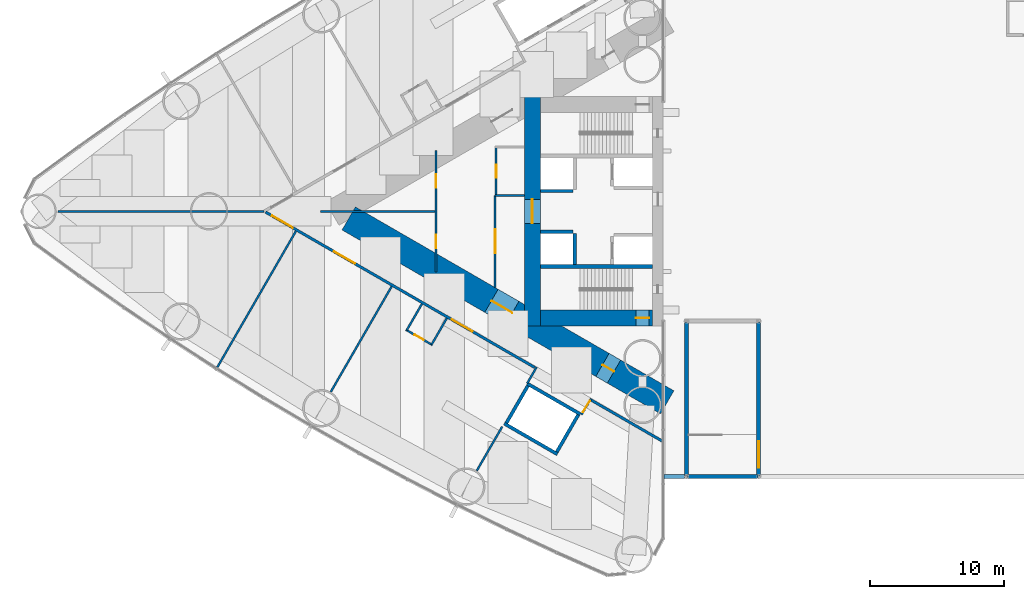
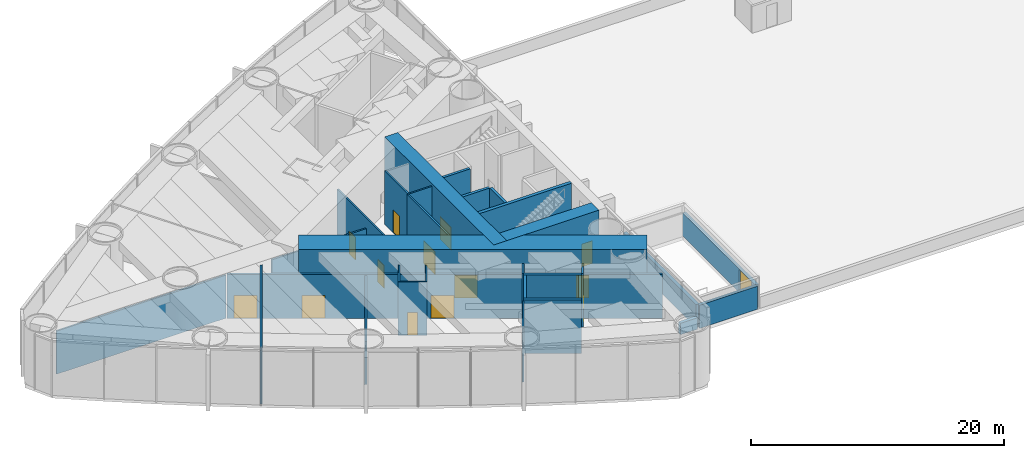
# One storey, part 16 of 23: 31 walls, 14 doors, 14 openings.
"""IFC4 building model written with IfcOpenShell, lengths in metres."""

from ifc_helpers import new_model, si_unit, direction, frame, frame_2d, origin, place, context, subcontext, project, spatial, rectangle, extrude, material, layer, layer_set, type_object, element, fill, save


model = new_model("IFC4")

# Units and contexts
model_context = context("Model", 3, precision=1e-05, world=origin(), true_north=direction((0.0, 1.0)))
body_context = subcontext(model_context, "Body", "Model", "MODEL_VIEW")
ifc_project = project(units=[si_unit("LENGTHUNIT", "METRE"), si_unit("AREAUNIT", "SQUARE_METRE"), si_unit("VOLUMEUNIT", "CUBIC_METRE"), si_unit("PLANEANGLEUNIT", "RADIAN"), si_unit("MASSUNIT", "GRAM", prefix="KILO")], contexts=[model_context])

# Site, building, storey
site_placement = place(None, origin())
site = spatial("IfcSite", under=ifc_project, at=site_placement, CompositionType="ELEMENT")
building_placement = place(site_placement, origin())
building = spatial("IfcBuilding", under=site, at=building_placement, Name="Lancet Gate Hotel", CompositionType="ELEMENT")
storey_placement = place(building_placement, frame((0.0, 0.0, 12.60009765625)))
storey = spatial("IfcBuildingStorey", under=building, at=storey_placement, Name="L02", CompositionType="ELEMENT", Elevation=12.60009765625)

# Walls
ifc_material_1 = material(Name="Moisture resistant board partition")
ifc_layer_1 = layer(ifc_material_1, 0.14990234375)
ifc_layer_set_1 = layer_set([ifc_layer_1], Name="Bathroom wall 150")
wall_type_1 = type_object("IfcWallType", Name="Bathroom wall 150", PredefinedType="PARTITIONING", material=ifc_layer_set_1)
for number, where, z_axis, x_axis, name in (
    (1, (-43.7001953125, -8.0068359375, 0.0), (0.0, 0.0, 1.0), (-0.499982560684, -0.866035472144, 0.0), "T1 bathroom wall 150 L02"),
    (2, (-45.56201171875, -6.931884765625, 0.0), (0.0, 0.0, 1.0), (-0.499982560684, -0.866035472144, 0.0), "T1 bathroom wall 150 L02"),
):
    element("IfcWall", number, at=place(storey_placement, frame(where, z_axis=z_axis, x_axis=x_axis)), inside=storey, type_object=wall_type_1, Name=name, PredefinedType="PARTITIONING", context=body_context, shape_type="SweptSolid", body=[
        extrude(rectangle(XDim=2.27490234375, YDim=0.14990234375, at=frame_2d((1.137451171875, 0.0))), origin(), (0.0, 0.0, 1.0), 5.14990234375),
    ])

# Wall, opening, door
wall_1_placement = place(storey_placement, frame((-44.772705078125, -10.014404296875, 0.0), z_axis=(0.0, 0.0, 1.0), x_axis=(-0.86602648383, 0.499998129301, 0.0)))
wall_1 = element("IfcWall", 3, at=wall_1_placement, inside=storey, type_object=wall_type_1, Name="T1 bathroom wall 150 L02", PredefinedType="PARTITIONING", context=body_context, shape_type="SweptSolid", body=[
    extrude(rectangle(XDim=2.2998046875, YDim=0.14990234375, at=frame_2d((1.14990234375, 0.0))), origin(), (0.0, 0.0, 1.0), 5.14990234375),
])
opening_1_placement = place(wall_1_placement, frame((0.75, 0.0, 0.0)))
opening_1 = element("IfcOpeningElement", 4, at=opening_1_placement, cuts=wall_1, Name="Opening T1-L02-P207W", PredefinedType="OPENING", context=body_context, shape_type="SweptSolid", body=[
    extrude(rectangle(XDim=0.800048828125, YDim=2.199951171875, at=frame_2d((0.39990234375, 1.10009765625))), frame((0.0, 0.0849609375, 0.0), z_axis=(0.0, -1.0, 0.0), x_axis=(1.0, 0.0, 0.0)), (0.0, 0.0, 1.0), 0.169921875),
])
ifc_material_2 = material(Name="Timber door set", Category="wood")
door_type_1 = type_object("IfcDoorType", Name="Bathroom door 800", OperationType="SINGLE_SWING_RIGHT", PredefinedType="DOOR", material=ifc_material_2)
door_1_placement = place(opening_1_placement, origin())
door_1 = element("IfcDoor", 5, at=door_1_placement, inside=storey, type_object=door_type_1, Name="T1-L02-P207W", OperationType="SINGLE_SWING_RIGHT", OverallHeight=2.199951171875, OverallWidth=0.800048828125, PredefinedType="DOOR", context=body_context, shape_type="SweptSolid", body=[
    extrude(rectangle(XDim=0.800048828125, YDim=2.199951171875, at=frame_2d((0.39990234375, 1.10009765625))), frame((0.0, 0.02490234375, 0.0), z_axis=(0.0, -1.0, 0.0), x_axis=(1.0, 0.0, 0.0)), (0.0, 0.0, 1.0), 0.050048828125),
])
fill(opening_1, door_1)

# Wall, openings, doors
ifc_material_3 = material(Name="Concrete C70/85", Category="concrete")
ifc_layer_2 = layer(ifc_material_3, 2.0)
ifc_layer_set_2 = layer_set([ifc_layer_2], Name="Buttress wall 2000")
wall_type_2 = type_object("IfcWallType", Name="Buttress wall 2000", PredefinedType="SHEAR", material=ifc_layer_set_2)
wall_2_placement = place(storey_placement, frame((-27.199951171875, -14.300048828125, 0.0), z_axis=(0.0, 0.0, 1.0), x_axis=(-0.866024044937, 0.500002353585, 0.0)))
wall_2 = element("IfcWall", 6, at=wall_2_placement, inside=storey, type_object=wall_type_2, Name="T1 buttress wall N L02", PredefinedType="SHEAR", context=body_context, shape_type="SweptSolid", body=[
    extrude(rectangle(XDim=27.533447265625, YDim=2.0, at=frame_2d((13.7666015625, 0.0))), origin(), (0.0, 0.0, 1.0), 5.39990234375),
])
opening_2_placement = place(wall_2_placement, frame((4.60009765625, 0.0, 0.0)))
opening_2 = element("IfcOpeningElement", 7, at=opening_2_placement, cuts=wall_2, Name="Opening T1-L02-LN", PredefinedType="OPENING", context=body_context, shape_type="SweptSolid", body=[
    extrude(rectangle(XDim=1.0, YDim=2.199951171875, at=frame_2d((0.5, 1.10009765625))), frame((0.0, 1.010009765625, 0.0), z_axis=(0.0, -1.0, 0.0), x_axis=(1.0, 0.0, 0.0)), (0.0, 0.0, 1.0), 2.02001953125),
])
opening_3_placement = place(wall_2_placement, frame((13.39453125, 0.0, 0.0)))
opening_3 = element("IfcOpeningElement", 8, at=opening_3_placement, cuts=wall_2, Name="Opening T1-L02-LHN", PredefinedType="OPENING", context=body_context, shape_type="SweptSolid", body=[
    extrude(rectangle(XDim=1.800048828125, YDim=2.199951171875, at=frame_2d((0.89990234375, 1.10009765625))), frame((0.0, 1.010009765625, 0.0), z_axis=(0.0, -1.0, 0.0), x_axis=(1.0, 0.0, 0.0)), (0.0, 0.0, 1.0), 2.02001953125),
])
ifc_material_4 = material(Name="Timber door set", Category="wood")
door_type_2 = type_object("IfcDoorType", Name="Lobby double door 1800", OperationType="DOUBLE_DOOR_SINGLE_SWING", PredefinedType="DOOR", material=ifc_material_4)
door_2_placement = place(opening_3_placement, origin())
door_2 = element("IfcDoor", 9, at=door_2_placement, inside=storey, type_object=door_type_2, Name="T1-L02-LHN", OperationType="DOUBLE_DOOR_SINGLE_SWING", OverallHeight=2.199951171875, OverallWidth=1.800048828125, PredefinedType="DOOR", context=body_context, shape_type="SweptSolid", body=[
    extrude(rectangle(XDim=1.800048828125, YDim=2.199951171875, at=frame_2d((0.89990234375, 1.10009765625))), frame((0.0, 0.02490234375, 0.0), z_axis=(0.0, -1.0, 0.0), x_axis=(1.0, 0.0, 0.0)), (0.0, 0.0, 1.0), 0.050048828125),
])
fill(opening_3, door_2)
ifc_material_5 = material(Name="Timber door set", Category="wood")
door_type_3 = type_object("IfcDoorType", Name="Stair lobby door 1000", OperationType="SINGLE_SWING_LEFT", PredefinedType="DOOR", material=ifc_material_5)
door_3_placement = place(opening_2_placement, origin())
door_3 = element("IfcDoor", 10, at=door_3_placement, inside=storey, type_object=door_type_3, Name="T1-L02-LN", OperationType="SINGLE_SWING_LEFT", OverallHeight=2.199951171875, OverallWidth=1.0, PredefinedType="DOOR", context=body_context, shape_type="SweptSolid", body=[
    extrude(rectangle(XDim=1.0, YDim=2.199951171875, at=frame_2d((0.5, 1.10009765625))), frame((0.0, 0.02490234375, 0.0), z_axis=(0.0, -1.0, 0.0), x_axis=(1.0, 0.0, 0.0)), (0.0, 0.0, 1.0), 0.050048828125),
])
fill(opening_2, door_3)

# Wall, opening, door
ifc_material_6 = material(Name="Concrete C70/85", Category="concrete")
ifc_layer_3 = layer(ifc_material_6, 1.199951171875)
ifc_layer_set_3 = layer_set([ifc_layer_3], Name="Core wall 1200")
wall_type_3 = type_object("IfcWallType", Name="Core wall 1200", PredefinedType="SHEAR", material=ifc_layer_set_3)
wall_3_placement = place(storey_placement, frame((-37.300048828125, 8.60009765625, 0.0), z_axis=(0.0, 0.0, 1.0), x_axis=(0.0, -1.0, 0.0)))
wall_3 = element("IfcWall", 11, at=wall_3_placement, inside=storey, type_object=wall_type_3, Name="T1 core wall back L02", PredefinedType="SHEAR", context=body_context, shape_type="SweptSolid", body=[
    extrude(rectangle(XDim=17.2001953125, YDim=1.199951171875, at=frame_2d((8.60009765625, 0.0))), origin(), (0.0, 0.0, 1.0), 5.39990234375),
])
opening_4_placement = place(wall_3_placement, frame((7.699951171875, 0.0, 0.0)))
opening_4 = element("IfcOpeningElement", 12, at=opening_4_placement, cuts=wall_3, Name="Opening T1-L02-LL", PredefinedType="OPENING", context=body_context, shape_type="SweptSolid", body=[
    extrude(rectangle(XDim=1.800048828125, YDim=2.199951171875, at=frame_2d((0.89990234375, 1.10009765625))), frame((0.0, 0.60986328125, 0.0), z_axis=(0.0, -1.0, 0.0), x_axis=(1.0, 0.0, 0.0)), (0.0, 0.0, 1.0), 1.219970703125),
])
door_4_placement = place(opening_4_placement, origin())
door_4 = element("IfcDoor", 13, at=door_4_placement, inside=storey, type_object=door_type_2, Name="T1-L02-LL", OperationType="DOUBLE_DOOR_SINGLE_SWING", OverallHeight=2.199951171875, OverallWidth=1.800048828125, PredefinedType="DOOR", context=body_context, shape_type="SweptSolid", body=[
    extrude(rectangle(XDim=1.800048828125, YDim=2.199951171875, at=frame_2d((0.89990234375, 1.10009765625))), frame((0.0, 0.02490234375, 0.0), z_axis=(0.0, -1.0, 0.0), x_axis=(1.0, 0.0, 0.0)), (0.0, 0.0, 1.0), 0.050048828125),
])
fill(opening_4, door_4)

wall_4_placement = place(storey_placement, frame((-28.300048828125, -8.0, 0.0), z_axis=(0.0, 0.0, 1.0), x_axis=(-1.0, 0.0, 0.0)))
wall_4 = element("IfcWall", 14, at=wall_4_placement, inside=storey, type_object=wall_type_3, Name="T1 core wall side-N L02", PredefinedType="SHEAR", context=body_context, shape_type="SweptSolid", body=[
    extrude(rectangle(XDim=8.39990234375, YDim=1.199951171875, at=frame_2d((4.199951171875, 0.0))), origin(), (0.0, 0.0, 1.0), 5.39990234375),
])
opening_5_placement = place(wall_4_placement, frame((0.25, 0.0, 0.0)))
opening_5 = element("IfcOpeningElement", 15, at=opening_5_placement, cuts=wall_4, Name="Opening T1-L02-ST2", PredefinedType="OPENING", context=body_context, shape_type="SweptSolid", body=[
    extrude(rectangle(XDim=1.0, YDim=2.199951171875, at=frame_2d((0.5, 1.10009765625))), frame((0.0, 0.60986328125, 0.0), z_axis=(0.0, -1.0, 0.0), x_axis=(1.0, 0.0, 0.0)), (0.0, 0.0, 1.0), 1.219970703125),
])
ifc_material_7 = material(Name="Timber door set", Category="wood")
door_type_4 = type_object("IfcDoorType", Name="Stair door 1000", OperationType="SINGLE_SWING_RIGHT", PredefinedType="DOOR", material=ifc_material_7)
door_5_placement = place(opening_5_placement, origin())
door_5 = element("IfcDoor", 16, at=door_5_placement, inside=storey, type_object=door_type_4, Name="T1-L02-ST2", OperationType="SINGLE_SWING_RIGHT", OverallHeight=2.199951171875, OverallWidth=1.0, PredefinedType="DOOR", context=body_context, shape_type="SweptSolid", body=[
    extrude(rectangle(XDim=1.0, YDim=2.199951171875, at=frame_2d((0.5, 1.10009765625))), frame((0.0, 0.02490234375, 0.0), z_axis=(0.0, -1.0, 0.0), x_axis=(1.0, 0.0, 0.0)), (0.0, 0.0, 1.0), 0.050048828125),
])
fill(opening_5, door_5)

# Wall
ifc_material_8 = material(Name="Gypsum board partition")
ifc_layer_4 = layer(ifc_material_8, 0.199951171875)
ifc_layer_set_4 = layer_set([ifc_layer_4], Name="Corridor wall 200")
wall_type_4 = type_object("IfcWallType", Name="Corridor wall 200", PredefinedType="PARTITIONING", material=ifc_layer_set_4)
wall_5_placement = place(storey_placement, frame((-27.5, -17.244384765625, 0.0), z_axis=(0.0, 0.0, 1.0), x_axis=(-0.866027347857, 0.499996632752, 0.0)))
element("IfcWall", 17, at=wall_5_placement, inside=storey, type_object=wall_type_4, Name="T1 corridor wall 200 L02", PredefinedType="PARTITIONING", context=body_context, shape_type="SweptSolid", body=[
    extrude(rectangle(XDim=6.26904296875, YDim=0.199951171875, at=frame_2d((3.134521484375, 0.0))), origin(), (0.0, 0.0, 1.0), 4.25),
])

# Wall, openings, doors
wall_6_placement = place(storey_placement, frame((-37.1201171875, -11.690185546875, 0.0), z_axis=(0.0, 0.0, 1.0), x_axis=(-0.866028803602, 0.499994111297, 0.0)))
wall_6 = element("IfcWall", 18, at=wall_6_placement, inside=storey, type_object=wall_type_4, Name="T1 corridor wall 200 L02", PredefinedType="PARTITIONING", context=body_context, shape_type="SweptSolid", body=[
    extrude(rectangle(XDim=23.260498046875, YDim=0.199951171875, at=frame_2d((11.63037109375, 0.0))), origin(), (0.0, 0.0, 1.0), 4.25),
])
opening_6_placement = place(wall_6_placement, frame((20.909423828125, 0.0, 0.0)))
opening_6 = element("IfcOpeningElement", 19, at=opening_6_placement, cuts=wall_6, Name="Opening T1-L02-P205", PredefinedType="OPENING", context=body_context, shape_type="SweptSolid", body=[
    extrude(rectangle(XDim=1.800048828125, YDim=2.199951171875, at=frame_2d((0.89990234375, 1.10009765625))), frame((0.0, 0.10986328125, 0.0), z_axis=(0.0, -1.0, 0.0), x_axis=(1.0, 0.0, 0.0)), (0.0, 0.0, 1.0), 0.219970703125),
])
opening_7_placement = place(wall_6_placement, frame((15.54443359375, 0.0, 0.0)))
opening_7 = element("IfcOpeningElement", 20, at=opening_7_placement, cuts=wall_6, Name="Opening T1-L02-P206", PredefinedType="OPENING", context=body_context, shape_type="SweptSolid", body=[
    extrude(rectangle(XDim=1.800048828125, YDim=2.199951171875, at=frame_2d((0.89990234375, 1.10009765625))), frame((0.0, 0.10986328125, 0.0), z_axis=(0.0, -1.0, 0.0), x_axis=(1.0, 0.0, 0.0)), (0.0, 0.0, 1.0), 0.219970703125),
])
opening_8_placement = place(wall_6_placement, frame((5.364990234375, 0.0, 0.0)))
opening_8 = element("IfcOpeningElement", 21, at=opening_8_placement, cuts=wall_6, Name="Opening T1-L02-P207", PredefinedType="OPENING", context=body_context, shape_type="SweptSolid", body=[
    extrude(rectangle(XDim=1.800048828125, YDim=2.199951171875, at=frame_2d((0.89990234375, 1.10009765625))), frame((0.0, 0.10986328125, 0.0), z_axis=(0.0, -1.0, 0.0), x_axis=(1.0, 0.0, 0.0)), (0.0, 0.0, 1.0), 0.219970703125),
])
ifc_material_9 = material(Name="Timber door set", Category="wood")
door_type_5 = type_object("IfcDoorType", Name="Double door 1800", OperationType="DOUBLE_DOOR_SINGLE_SWING", PredefinedType="DOOR", material=ifc_material_9)
door_6_placement = place(opening_6_placement, origin())
door_6 = element("IfcDoor", 22, at=door_6_placement, inside=storey, type_object=door_type_5, Name="T1-L02-P205", OperationType="DOUBLE_DOOR_SINGLE_SWING", OverallHeight=2.199951171875, OverallWidth=1.800048828125, PredefinedType="DOOR", context=body_context, shape_type="SweptSolid", body=[
    extrude(rectangle(XDim=1.800048828125, YDim=2.199951171875, at=frame_2d((0.89990234375, 1.10009765625))), frame((0.0, 0.02490234375, 0.0), z_axis=(0.0, -1.0, 0.0), x_axis=(1.0, 0.0, 0.0)), (0.0, 0.0, 1.0), 0.050048828125),
])
fill(opening_6, door_6)
door_7_placement = place(opening_7_placement, origin())
door_7 = element("IfcDoor", 23, at=door_7_placement, inside=storey, type_object=door_type_5, Name="T1-L02-P206", OperationType="DOUBLE_DOOR_SINGLE_SWING", OverallHeight=2.199951171875, OverallWidth=1.800048828125, PredefinedType="DOOR", context=body_context, shape_type="SweptSolid", body=[
    extrude(rectangle(XDim=1.800048828125, YDim=2.199951171875, at=frame_2d((0.89990234375, 1.10009765625))), frame((0.0, 0.02490234375, 0.0), z_axis=(0.0, -1.0, 0.0), x_axis=(1.0, 0.0, 0.0)), (0.0, 0.0, 1.0), 0.050048828125),
])
fill(opening_7, door_7)
door_8_placement = place(opening_8_placement, origin())
door_8 = element("IfcDoor", 24, at=door_8_placement, inside=storey, type_object=door_type_5, Name="T1-L02-P207", OperationType="DOUBLE_DOOR_SINGLE_SWING", OverallHeight=2.199951171875, OverallWidth=1.800048828125, PredefinedType="DOOR", context=body_context, shape_type="SweptSolid", body=[
    extrude(rectangle(XDim=1.800048828125, YDim=2.199951171875, at=frame_2d((0.89990234375, 1.10009765625))), frame((0.0, 0.02490234375, 0.0), z_axis=(0.0, -1.0, 0.0), x_axis=(1.0, 0.0, 0.0)), (0.0, 0.0, 1.0), 0.050048828125),
])
fill(opening_8, door_8)

# Walls
ifc_material_10 = material(Name="Gypsum board partition")
ifc_layer_5 = layer(ifc_material_10, 0.25)
ifc_layer_set_5 = layer_set([ifc_layer_5], Name="Lift shaft partition 250")
wall_type_5 = type_object("IfcWallType", Name="Lift shaft partition 250", PredefinedType="PARTITIONING", material=ifc_layer_set_5)
wall_7_placement = place(storey_placement, frame((-33.695556640625, -15.197265625, 0.0), z_axis=(0.0, 0.0, 1.0), x_axis=(-0.865976953817, 0.500083908417, 0.0)))
element("IfcWall", 25, at=wall_7_placement, inside=storey, type_object=wall_type_5, Name="T1 lift shaft wall EX L02", PredefinedType="PARTITIONING", context=body_context, shape_type="SweptSolid", body=[
    extrude(rectangle(XDim=4.599365234375, YDim=0.25, at=frame_2d((2.2998046875, 0.0))), origin(), (0.0, 0.0, 1.0), 5.14990234375),
])
wall_8_placement = place(storey_placement, frame((-35.42041015625, -18.185791015625, 0.0), z_axis=(0.0, 0.0, 1.0), x_axis=(-0.865990227814, 0.50006092162, 0.0)))
element("IfcWall", 26, at=wall_8_placement, inside=storey, type_object=wall_type_5, Name="T1 lift shaft wall EX L02", PredefinedType="PARTITIONING", context=body_context, shape_type="SweptSolid", body=[
    extrude(rectangle(XDim=4.599609375, YDim=0.25, at=frame_2d((2.2998046875, 0.0))), origin(), (0.0, 0.0, 1.0), 5.14990234375),
])
wall_9_placement = place(storey_placement, frame((-33.8662109375, -15.242919921875, 0.0), z_axis=(0.0, 0.0, 1.0), x_axis=(-0.499929347863, -0.866066190972, 0.0)))
element("IfcWall", 27, at=wall_9_placement, inside=storey, type_object=wall_type_5, Name="T1 lift shaft wall EX L02", PredefinedType="PARTITIONING", context=body_context, shape_type="SweptSolid", body=[
    extrude(rectangle(XDim=3.20068359375, YDim=0.25, at=frame_2d((1.600341796875, 0.0))), origin(), (0.0, 0.0, 1.0), 5.14990234375),
])
wall_10_placement = place(storey_placement, frame((-37.6328125, -13.068115234375, 0.0), z_axis=(0.0, 0.0, 1.0), x_axis=(-0.499872130319, -0.866099216793, 0.0)))
element("IfcWall", 28, at=wall_10_placement, inside=storey, type_object=wall_type_5, Name="T1 lift shaft wall EX L02", PredefinedType="PARTITIONING", context=body_context, shape_type="SweptSolid", body=[
    extrude(rectangle(XDim=3.200439453125, YDim=0.25, at=frame_2d((1.60009765625, 0.0))), origin(), (0.0, 0.0, 1.0), 5.14990234375),
])
ifc_material_11 = material(Name="Concrete C50/60", Category="concrete")
ifc_layer_6 = layer(ifc_material_11, 0.25)
ifc_layer_set_6 = layer_set([ifc_layer_6], Name="Lift shaft wall 250")
wall_type_6 = type_object("IfcWallType", Name="Lift shaft wall 250", PredefinedType="SHEAR", material=ifc_layer_set_6)
wall_11_placement = place(storey_placement, frame((-34.25, 1.52490234375, 0.0), z_axis=(0.0, 0.0, 1.0), x_axis=(-1.0, 0.0, 0.0)))
element("IfcWall", 29, at=wall_11_placement, inside=storey, type_object=wall_type_6, Name="T1 core wall pass2-S L02", PredefinedType="SHEAR", context=body_context, shape_type="SweptSolid", body=[
    extrude(rectangle(XDim=2.449951171875, YDim=0.25, at=frame_2d((1.22509765625, 0.0))), origin(), (0.0, 0.0, 1.0), 5.39990234375),
])
wall_12_placement = place(storey_placement, frame((-34.125, -1.64990234375, 0.0), z_axis=(0.0, 0.0, 1.0), x_axis=(0.0, -1.0, 0.0)))
element("IfcWall", 30, at=wall_12_placement, inside=storey, type_object=wall_type_6, Name="T1 core wall row2-N L02", PredefinedType="SHEAR", context=body_context, shape_type="SweptSolid", body=[
    extrude(rectangle(XDim=2.35009765625, YDim=0.25, at=frame_2d((1.175048828125, 0.0))), origin(), (0.0, 0.0, 1.0), 5.39990234375),
])
wall_13_placement = place(storey_placement, frame((-34.25, -1.52490234375, 0.0), z_axis=(0.0, 0.0, 1.0), x_axis=(-1.0, 0.0, 0.0)))
element("IfcWall", 31, at=wall_13_placement, inside=storey, type_object=wall_type_6, Name="T1 core wall pass2-N L02", PredefinedType="SHEAR", context=body_context, shape_type="SweptSolid", body=[
    extrude(rectangle(XDim=2.449951171875, YDim=0.25, at=frame_2d((1.22509765625, 0.0))), origin(), (0.0, 0.0, 1.0), 5.39990234375),
])
ifc_material_12 = material(Name="Concrete C40/50", Category="concrete")
ifc_layer_7 = layer(ifc_material_12, 0.300048828125)
ifc_layer_set_7 = layer_set([ifc_layer_7], Name="Parapet wall 300")
wall_type_7 = type_object("IfcWallType", Name="Parapet wall 300", PredefinedType="PARAPET", material=ifc_layer_set_7)
wall_14_placement = place(storey_placement, frame((-27.449951171875, -19.85009765625, 0.0), z_axis=(0.0, 0.0, 1.0), x_axis=(1.0, 0.0, 0.0)))
element("IfcWall", 32, at=wall_14_placement, inside=storey, type_object=wall_type_7, Name="Podium roof parapet S1", PredefinedType="PARAPET", context=body_context, shape_type="SweptSolid", body=[
    extrude(rectangle(XDim=1.550048828125, YDim=0.300048828125, at=frame_2d((0.77490234375, 0.0))), origin(), (0.0, 0.0, 1.0), 1.099853515625),
])
ifc_material_13 = material(Name="Gypsum board partition")
ifc_layer_8 = layer(ifc_material_13, 0.14990234375)
ifc_layer_set_8 = layer_set([ifc_layer_8], Name="Party wall 150")
wall_type_8 = type_object("IfcWallType", Name="Party wall 150", PredefinedType="PARTITIONING", material=ifc_layer_set_8)
wall_15_placement = place(storey_placement, frame((-47.826904296875, -5.624267578125, 0.0), z_axis=(0.0, 0.0, 1.0), x_axis=(-0.499995404498, -0.866028056982, 0.0)))
element("IfcWall", 33, at=wall_15_placement, inside=storey, type_object=wall_type_8, Name="T1 party wall 150 L02", PredefinedType="PARTITIONING", context=body_context, shape_type="SweptSolid", body=[
    extrude(rectangle(XDim=9.1103515625, YDim=0.14990234375, at=frame_2d((4.55517578125, 0.0))), origin(), (0.0, 0.0, 1.0), 4.14990234375),
])
wall_16_placement = place(storey_placement, frame((-54.99609375, -1.485107421875, 0.0), z_axis=(0.0, 0.0, 1.0), x_axis=(-0.500002871521, -0.866023745905, 0.0)))
element("IfcWall", 34, at=wall_16_placement, inside=storey, type_object=wall_type_8, Name="T1 party wall 150 L02", PredefinedType="PARTITIONING", context=body_context, shape_type="SweptSolid", body=[
    extrude(rectangle(XDim=11.7568359375, YDim=0.14990234375, at=frame_2d((5.87841796875, 0.0))), origin(), (0.0, 0.0, 1.0), 5.14990234375),
])
wall_17_placement = place(storey_placement, frame((-57.3681640625, 0.0, 0.0), z_axis=(0.0, 0.0, 1.0), x_axis=(-1.0, 0.0, 0.0)))
element("IfcWall", 35, at=wall_17_placement, inside=storey, type_object=wall_type_8, Name="T1 party wall 150 L02", PredefinedType="PARTITIONING", context=body_context, shape_type="SweptSolid", body=[
    extrude(rectangle(XDim=15.447021484375, YDim=0.14990234375, at=frame_2d((7.7236328125, 0.0))), origin(), (0.0, 0.0, 1.0), 4.14990234375),
])
wall_18_placement = place(storey_placement, frame((-39.55078125, -16.118408203125, 0.0), z_axis=(0.0, 0.0, 1.0), x_axis=(-0.499986503906, -0.866033195618, 0.0)))
element("IfcWall", 36, at=wall_18_placement, inside=storey, type_object=wall_type_8, Name="T1 party wall 150 L02", PredefinedType="PARTITIONING", context=body_context, shape_type="SweptSolid", body=[
    extrude(rectangle(XDim=3.81494140625, YDim=0.14990234375, at=frame_2d((1.907470703125, 0.0))), origin(), (0.0, 0.0, 1.0), 5.14990234375),
])
ifc_material_14 = material(Name="Dense concrete blockwork", Category="masonry")
ifc_layer_9 = layer(ifc_material_14, 0.300048828125)
ifc_layer_set_9 = layer_set([ifc_layer_9], Name="Podium stair enclosure wall 300")
wall_type_9 = type_object("IfcWallType", Name="Podium stair enclosure wall 300", PredefinedType="SOLIDWALL", material=ifc_layer_set_9)
wall_19_placement = place(storey_placement, frame((-25.68896484375, -19.85009765625, 0.0), z_axis=(0.0, 0.0, 1.0), x_axis=(1.0, 0.0, 0.0)))
element("IfcWall", 37, at=wall_19_placement, inside=storey, type_object=wall_type_9, Name="Podium stair PS6 headhouse wall outer L02", PredefinedType="SOLIDWALL", context=body_context, shape_type="SweptSolid", body=[
    extrude(rectangle(XDim=5.27783203125, YDim=0.300048828125, at=frame_2d((2.638916015625, 0.0))), origin(), (0.0, 0.0, 1.0), 2.22998046875),
])

# Wall, opening, door
wall_20_placement = place(storey_placement, frame((-20.35009765625, -8.291015625, 0.0), z_axis=(0.0, 0.0, 1.0), x_axis=(0.0, -1.0, 0.0)))
wall_20 = element("IfcWall", 38, at=wall_20_placement, inside=storey, type_object=wall_type_9, Name="Podium stair PS6 headhouse wall near L02", PredefinedType="SOLIDWALL", context=body_context, shape_type="SweptSolid", body=[
    extrude(rectangle(XDim=11.498046875, YDim=0.300048828125, at=frame_2d((5.7490234375, 0.0))), origin(), (0.0, 0.0, 1.0), 2.22998046875),
])
opening_9_placement = place(wall_20_placement, frame((8.908935546875, 0.0, 0.0)))
opening_9 = element("IfcOpeningElement", 39, at=opening_9_placement, cuts=wall_20, Name="Opening POD-L02-PS6", PredefinedType="OPENING", context=body_context, shape_type="SweptSolid", body=[
    extrude(rectangle(XDim=2.0, YDim=2.199951171875, at=frame_2d((1.0, 1.10009765625))), frame((0.0, 0.159912109375, 0.0), z_axis=(0.0, -1.0, 0.0), x_axis=(1.0, 0.0, 0.0)), (0.0, 0.0, 1.0), 0.320068359375),
])
ifc_material_15 = material(Name="Timber door set", Category="wood")
door_type_6 = type_object("IfcDoorType", Name="Stair double door 2000", OperationType="DOUBLE_DOOR_SINGLE_SWING", PredefinedType="DOOR", material=ifc_material_15)
door_9_placement = place(opening_9_placement, origin())
door_9 = element("IfcDoor", 40, at=door_9_placement, inside=storey, type_object=door_type_6, Name="POD-L02-PS6", OperationType="DOUBLE_DOOR_SINGLE_SWING", OverallHeight=2.199951171875, OverallWidth=2.0, PredefinedType="DOOR", context=body_context, shape_type="SweptSolid", body=[
    extrude(rectangle(XDim=2.0, YDim=2.199951171875, at=frame_2d((1.0, 1.10009765625))), frame((0.0, 0.02490234375, 0.0), z_axis=(0.0, -1.0, 0.0), x_axis=(1.0, 0.0, 0.0)), (0.0, 0.0, 1.0), 0.050048828125),
])
fill(opening_9, door_9)

# Walls
wall_21_placement = place(storey_placement, frame((-25.75, -8.291015625, 0.0), z_axis=(0.0, 0.0, 1.0), x_axis=(0.0, -1.0, 0.0)))
element("IfcWall", 41, at=wall_21_placement, inside=storey, type_object=wall_type_9, Name="Podium stair PS6 headhouse wall far L02", PredefinedType="SOLIDWALL", context=body_context, shape_type="SweptSolid", body=[
    extrude(rectangle(XDim=11.498046875, YDim=0.300048828125, at=frame_2d((5.7490234375, 0.0))), origin(), (0.0, 0.0, 1.0), 2.22998046875),
])
ifc_material_16 = material(Name="Gypsum board partition")
ifc_layer_10 = layer(ifc_material_16, 0.14990234375)
ifc_layer_set_10 = layer_set([ifc_layer_10], Name="Service room wall 150")
wall_type_10 = type_object("IfcWallType", Name="Service room wall 150", PredefinedType="PARTITIONING", material=ifc_layer_set_10)
wall_22_placement = place(storey_placement, frame((-36.9755859375, -11.658203125, 0.0), z_axis=(0.0, 0.0, 1.0), x_axis=(-0.50008355685, -0.86597715684, 0.0)))
element("IfcWall", 42, at=wall_22_placement, inside=storey, type_object=wall_type_10, Name="T1 service room wall 150 L02", PredefinedType="PARTITIONING", context=body_context, shape_type="SweptSolid", body=[
    extrude(rectangle(XDim=1.404541015625, YDim=0.14990234375, at=frame_2d((0.7021484375, 0.0))), origin(), (0.0, 0.0, 1.0), 5.14990234375),
])

# Wall, opening, door
wall_23_placement = place(storey_placement, frame((-33.62060546875, -15.217529296875, 0.0), z_axis=(0.0, 0.0, 1.0), x_axis=(0.518424923641, 0.855123148177, 0.0)))
wall_23 = element("IfcWall", 43, at=wall_23_placement, inside=storey, type_object=wall_type_10, Name="T1 service room wall 150 L02", PredefinedType="PARTITIONING", context=body_context, shape_type="SweptSolid", body=[
    extrude(rectangle(XDim=1.4052734375, YDim=0.14990234375, at=frame_2d((0.70263671875, 0.0))), origin(), (0.0, 0.0, 1.0), 5.14990234375),
])
opening_10_placement = place(wall_23_placement, frame((0.20263671875, 0.0, 0.0)))
opening_10 = element("IfcOpeningElement", 44, at=opening_10_placement, cuts=wall_23, Name="Opening T1-L02-P208", PredefinedType="OPENING", context=body_context, shape_type="SweptSolid", body=[
    extrude(rectangle(XDim=1.0, YDim=2.199951171875, at=frame_2d((0.5, 1.10009765625))), frame((0.0, 0.0849609375, 0.0), z_axis=(0.0, -1.0, 0.0), x_axis=(1.0, 0.0, 0.0)), (0.0, 0.0, 1.0), 0.169921875),
])
ifc_material_17 = material(Name="Timber door set", Category="wood")
door_type_7 = type_object("IfcDoorType", Name="Service door 1000", OperationType="SINGLE_SWING_LEFT", PredefinedType="DOOR", material=ifc_material_17)
door_10_placement = place(opening_10_placement, origin())
door_10 = element("IfcDoor", 45, at=door_10_placement, inside=storey, type_object=door_type_7, Name="T1-L02-P208", OperationType="SINGLE_SWING_LEFT", OverallHeight=2.199951171875, OverallWidth=1.0, PredefinedType="DOOR", context=body_context, shape_type="SweptSolid", body=[
    extrude(rectangle(XDim=1.0, YDim=2.199951171875, at=frame_2d((0.5, 1.10009765625))), frame((0.0, 0.02490234375, 0.0), z_axis=(0.0, -1.0, 0.0), x_axis=(1.0, 0.0, 0.0)), (0.0, 0.0, 1.0), 0.050048828125),
])
fill(opening_10, door_10)

# Wall
wall_24_placement = place(storey_placement, frame((-37.89990234375, 1.199951171875, 0.0), z_axis=(0.0, 0.0, 1.0), x_axis=(-1.0, 0.0, 0.0)))
element("IfcWall", 46, at=wall_24_placement, inside=storey, type_object=wall_type_10, Name="T1 service room wall 150 L02", PredefinedType="PARTITIONING", context=body_context, shape_type="SweptSolid", body=[
    extrude(rectangle(XDim=2.175048828125, YDim=0.14990234375, at=frame_2d((1.08740234375, 0.0))), origin(), (0.0, 0.0, 1.0), 5.14990234375),
])

# Wall, opening, door
wall_25_placement = place(storey_placement, frame((-40.0, 4.875, 0.0), z_axis=(0.0, 0.0, 1.0), x_axis=(0.0, -1.0, 0.0)))
wall_25 = element("IfcWall", 47, at=wall_25_placement, inside=storey, type_object=wall_type_10, Name="T1 service room wall 150 L02", PredefinedType="PARTITIONING", context=body_context, shape_type="SweptSolid", body=[
    extrude(rectangle(XDim=3.75, YDim=0.14990234375, at=frame_2d((1.875, 0.0))), origin(), (0.0, 0.0, 1.0), 5.14990234375),
])
opening_11_placement = place(wall_25_placement, frame((1.375, 0.0, 0.0)))
opening_11 = element("IfcOpeningElement", 48, at=opening_11_placement, cuts=wall_25, Name="Opening T1-L02-HRS0", PredefinedType="OPENING", context=body_context, shape_type="SweptSolid", body=[
    extrude(rectangle(XDim=1.0, YDim=2.199951171875, at=frame_2d((0.5, 1.10009765625))), frame((0.0, 0.0849609375, 0.0), z_axis=(0.0, -1.0, 0.0), x_axis=(1.0, 0.0, 0.0)), (0.0, 0.0, 1.0), 0.169921875),
])
door_11_placement = place(opening_11_placement, origin())
door_11 = element("IfcDoor", 49, at=door_11_placement, inside=storey, type_object=door_type_7, Name="T1-L02-HRS0", OperationType="SINGLE_SWING_LEFT", OverallHeight=2.199951171875, OverallWidth=1.0, PredefinedType="DOOR", context=body_context, shape_type="SweptSolid", body=[
    extrude(rectangle(XDim=1.0, YDim=2.199951171875, at=frame_2d((0.5, 1.10009765625))), frame((0.0, 0.02490234375, 0.0), z_axis=(0.0, -1.0, 0.0), x_axis=(1.0, 0.0, 0.0)), (0.0, 0.0, 1.0), 0.050048828125),
])
fill(opening_11, door_11)

wall_26_placement = place(storey_placement, frame((-40.074951171875, 1.199951171875, 0.0), z_axis=(0.0, 0.0, 1.0), x_axis=(0.0, -1.0, 0.0)))
wall_26 = element("IfcWall", 50, at=wall_26_placement, inside=storey, type_object=wall_type_10, Name="T1 service room wall 150 L02", PredefinedType="PARTITIONING", context=body_context, shape_type="SweptSolid", body=[
    extrude(rectangle(XDim=6.911865234375, YDim=0.14990234375, at=frame_2d((3.4560546875, 0.0))), origin(), (0.0, 0.0, 1.0), 5.14990234375),
])
opening_12_placement = place(wall_26_placement, frame((2.555908203125, 0.0, 0.0)))
opening_12 = element("IfcOpeningElement", 51, at=opening_12_placement, cuts=wall_26, Name="Opening T1-L02-LH", PredefinedType="OPENING", context=body_context, shape_type="SweptSolid", body=[
    extrude(rectangle(XDim=1.800048828125, YDim=2.199951171875, at=frame_2d((0.89990234375, 1.10009765625))), frame((0.0, 0.0849609375, 0.0), z_axis=(0.0, -1.0, 0.0), x_axis=(1.0, 0.0, 0.0)), (0.0, 0.0, 1.0), 0.169921875),
])
door_12_placement = place(opening_12_placement, origin())
door_12 = element("IfcDoor", 52, at=door_12_placement, inside=storey, type_object=door_type_2, Name="T1-L02-LH", OperationType="DOUBLE_DOOR_SINGLE_SWING", OverallHeight=2.199951171875, OverallWidth=1.800048828125, PredefinedType="DOOR", context=body_context, shape_type="SweptSolid", body=[
    extrude(rectangle(XDim=1.800048828125, YDim=2.199951171875, at=frame_2d((0.89990234375, 1.10009765625))), frame((0.0, 0.02490234375, 0.0), z_axis=(0.0, -1.0, 0.0), x_axis=(1.0, 0.0, 0.0)), (0.0, 0.0, 1.0), 0.050048828125),
])
fill(opening_12, door_12)

# Wall, openings, doors
wall_27_placement = place(storey_placement, frame((-44.5, 4.542724609375, 0.0), z_axis=(0.0, 0.0, 1.0), x_axis=(0.0, -1.0, 0.0)))
wall_27 = element("IfcWall", 53, at=wall_27_placement, inside=storey, type_object=wall_type_10, Name="T1 service room wall 150 L02", PredefinedType="PARTITIONING", context=body_context, shape_type="SweptSolid", body=[
    extrude(rectangle(XDim=9.08544921875, YDim=0.14990234375, at=frame_2d((4.542724609375, 0.0))), origin(), (0.0, 0.0, 1.0), 5.14990234375),
])
opening_13_placement = place(wall_27_placement, frame((1.771484375, 0.0, 0.0)))
opening_13 = element("IfcOpeningElement", 54, at=opening_13_placement, cuts=wall_27, Name="Opening T1-L02-SV", PredefinedType="OPENING", context=body_context, shape_type="SweptSolid", body=[
    extrude(rectangle(XDim=1.0, YDim=2.199951171875, at=frame_2d((0.5, 1.10009765625))), frame((0.0, 0.0849609375, 0.0), z_axis=(0.0, -1.0, 0.0), x_axis=(1.0, 0.0, 0.0)), (0.0, 0.0, 1.0), 0.169921875),
])
opening_14_placement = place(wall_27_placement, frame((6.314208984375, 0.0, 0.0)))
opening_14 = element("IfcOpeningElement", 55, at=opening_14_placement, cuts=wall_27, Name="Opening T1-L02-SV2", PredefinedType="OPENING", context=body_context, shape_type="SweptSolid", body=[
    extrude(rectangle(XDim=1.0, YDim=2.199951171875, at=frame_2d((0.5, 1.10009765625))), frame((0.0, 0.0849609375, 0.0), z_axis=(0.0, -1.0, 0.0), x_axis=(1.0, 0.0, 0.0)), (0.0, 0.0, 1.0), 0.169921875),
])
door_13_placement = place(opening_13_placement, origin())
door_13 = element("IfcDoor", 56, at=door_13_placement, inside=storey, type_object=door_type_7, Name="T1-L02-SV", OperationType="SINGLE_SWING_LEFT", OverallHeight=2.199951171875, OverallWidth=1.0, PredefinedType="DOOR", context=body_context, shape_type="SweptSolid", body=[
    extrude(rectangle(XDim=1.0, YDim=2.199951171875, at=frame_2d((0.5, 1.10009765625))), frame((0.0, 0.02490234375, 0.0), z_axis=(0.0, -1.0, 0.0), x_axis=(1.0, 0.0, 0.0)), (0.0, 0.0, 1.0), 0.050048828125),
])
fill(opening_13, door_13)
door_14_placement = place(opening_14_placement, origin())
door_14 = element("IfcDoor", 57, at=door_14_placement, inside=storey, type_object=door_type_7, Name="T1-L02-SV2", OperationType="SINGLE_SWING_LEFT", OverallHeight=2.199951171875, OverallWidth=1.0, PredefinedType="DOOR", context=body_context, shape_type="SweptSolid", body=[
    extrude(rectangle(XDim=1.0, YDim=2.199951171875, at=frame_2d((0.5, 1.10009765625))), frame((0.0, 0.02490234375, 0.0), z_axis=(0.0, -1.0, 0.0), x_axis=(1.0, 0.0, 0.0)), (0.0, 0.0, 1.0), 0.050048828125),
])
fill(opening_14, door_14)

# Walls
wall_28_placement = place(storey_placement, frame((-44.574951171875, 0.0, 0.0), z_axis=(0.0, 0.0, 1.0), x_axis=(-1.0, 0.0, 0.0)))
element("IfcWall", 58, at=wall_28_placement, inside=storey, type_object=wall_type_10, Name="T1 service room wall 150 L02", PredefinedType="PARTITIONING", context=body_context, shape_type="SweptSolid", body=[
    extrude(rectangle(XDim=8.59326171875, YDim=0.14990234375, at=frame_2d((4.296630859375, 0.0))), origin(), (0.0, 0.0, 1.0), 4.14990234375),
])
ifc_material_18 = material(Name="Concrete C50/60", Category="concrete")
ifc_layer_11 = layer(ifc_material_18, 0.300048828125)
ifc_layer_set_11 = layer_set([ifc_layer_11], Name="Stair enclosure wall 300")
wall_type_11 = type_object("IfcWallType", Name="Stair enclosure wall 300", PredefinedType="SHEAR", material=ifc_layer_set_11)
wall_29_placement = place(storey_placement, frame((-28.300048828125, -4.14990234375, 0.0), z_axis=(0.0, 0.0, 1.0), x_axis=(-1.0, 0.0, 0.0)))
element("IfcWall", 59, at=wall_29_placement, inside=storey, type_object=wall_type_11, Name="T1 core wall stair-N L02", PredefinedType="SHEAR", context=body_context, shape_type="SweptSolid", body=[
    extrude(rectangle(XDim=8.39990234375, YDim=0.300048828125, at=frame_2d((4.199951171875, 0.0))), origin(), (0.0, 0.0, 1.0), 5.39990234375),
])

save(model, "model.ifc")
